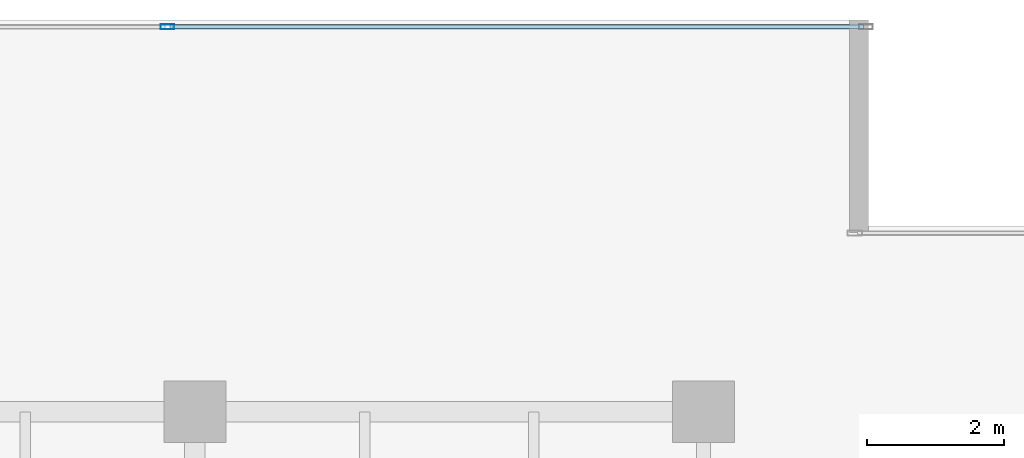
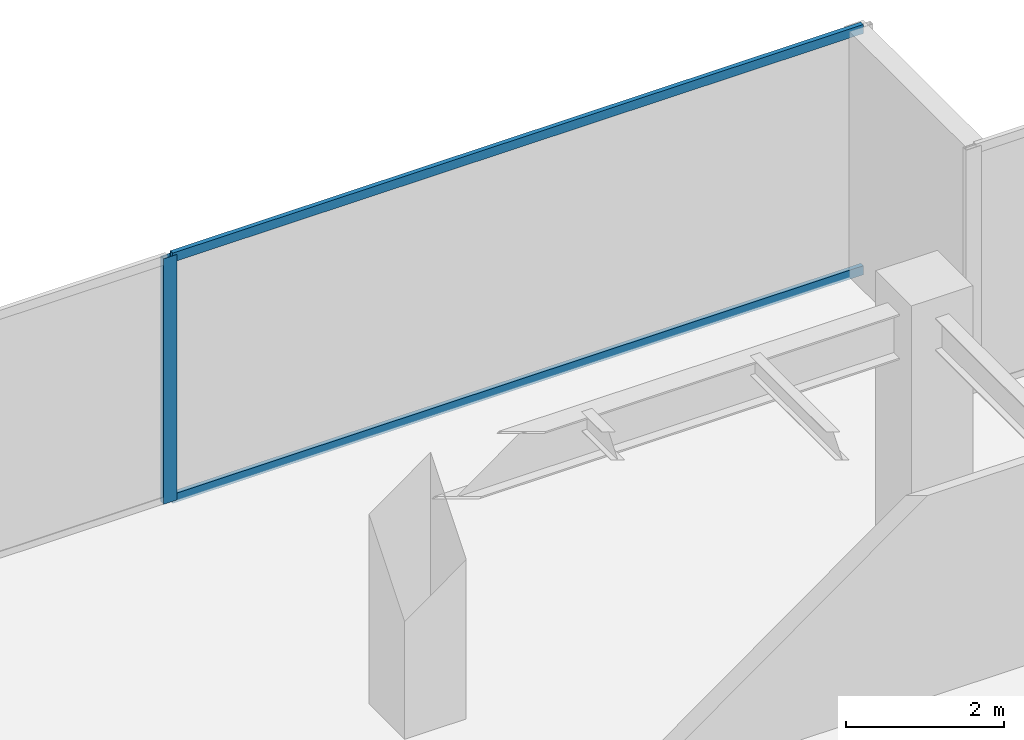
# One storey, part 20 of 30: 3 members, 1 element without a shape of its own.
"""IFC4 building model written with IfcOpenShell, lengths in metres."""

import ifcopenshell
import ifcopenshell.guid

model = None  # the IFC model being written
_history = None  # IfcOwnerHistory: only IFC2X3 demands one
_inside = {}  # id of a spatial element -> (the spatial element, [elements in it])
_under = {}  # id of a project, library or spatial element -> (it, [spatial elements below it])
_declared = {}  # id of a project -> (the project, [libraries it declares])
_typed = {}  # id of a type object -> (the type object, [elements of that type])
_made_of = {}  # id of a material, layer set ... -> (it, [elements and type objects made of it])


def new_model(schema):
    """Start an empty IFC model of exactly this schema.

    Asked for "IFC4X3", IfcOpenShell would pick the latest addendum, in which some entities
    have other attributes; the version numbers below select the first issue.
    IFC2X3 requires an IfcOwnerHistory on every rooted entity: one is made here for all.
    """
    global model, _history
    if schema == "IFC4X3":
        model = ifcopenshell.file(schema_version=(4, 3, 0, 0))
    else:
        model = ifcopenshell.file(schema=schema)
    _inside.clear()
    _under.clear()
    _declared.clear()
    _typed.clear()
    _made_of.clear()
    _history = None
    if model.schema == "IFC2X3":
        org = make("IfcOrganization", Name="unknown")
        user = make(
            "IfcPersonAndOrganization",
            ThePerson=make("IfcPerson", FamilyName="unknown"),
            TheOrganization=org,
        )
        app = make(
            "IfcApplication",
            ApplicationDeveloper=org,
            Version="unknown",
            ApplicationFullName="unknown",
            ApplicationIdentifier="unknown",
        )
        _history = make(
            "IfcOwnerHistory",
            OwningUser=user,
            OwningApplication=app,
            ChangeAction="ADDED",
            CreationDate=0,
        )
    return model


def make(cls, **values):
    """One entity of the class cls with the attributes given. An attribute that is None is left unset."""
    return model.create_entity(
        cls, **{name: value for name, value in values.items() if value is not None}
    )


def rooted(cls, **values):
    """An entity with a GlobalId (a new one), such as an element, a storey or a relation."""
    return make(cls, GlobalId=ifcopenshell.guid.new(), OwnerHistory=_history, **values)


def si_unit(unit_type, name, prefix=None):
    """IfcSIUnit, for example si_unit("LENGTHUNIT", "METRE", prefix="MILLI")."""
    return make("IfcSIUnit", UnitType=unit_type, Prefix=prefix, Name=name)


def assignment(units):
    """IfcUnitAssignment: the units of a project."""
    return None if units is None else make("IfcUnitAssignment", Units=units)


def point(xyz):
    """IfcCartesianPoint."""
    return None if xyz is None else make("IfcCartesianPoint", Coordinates=xyz)


def direction(xyz):
    """IfcDirection."""
    return None if xyz is None else make("IfcDirection", DirectionRatios=xyz)


def frame(location, z_axis=None, x_axis=None):
    """IfcAxis2Placement3D, a coordinate frame: its origin and axes. An axis left out is left unset."""
    return make(
        "IfcAxis2Placement3D",
        Location=point(location),
        Axis=direction(z_axis),
        RefDirection=direction(x_axis),
    )


def frame_2d(location, x_axis=None):
    """IfcAxis2Placement2D, a coordinate frame in the plane: its origin and x axis."""
    return make(
        "IfcAxis2Placement2D", Location=point(location), RefDirection=direction(x_axis)
    )


def origin():
    """The frame at (0, 0, 0) with its axes left unset."""
    return frame((0.0, 0.0, 0.0))


def origin_2d():
    """The frame at (0, 0) in the plane with its x axis left unset."""
    return frame_2d((0.0, 0.0))


def place(relative_to, where):
    """IfcLocalPlacement: puts the frame where relative to a parent placement (None: the world)."""
    return make(
        "IfcLocalPlacement", PlacementRelTo=relative_to, RelativePlacement=where
    )


def context(
    kind, dimensions, precision=None, world=None, true_north=None, identifier=None
):
    """IfcGeometricRepresentationContext, for example the 3D "Model" context."""
    return make(
        "IfcGeometricRepresentationContext",
        ContextIdentifier=identifier,
        ContextType=kind,
        CoordinateSpaceDimension=dimensions,
        Precision=precision,
        WorldCoordinateSystem=world,
        TrueNorth=true_north,
    )


def subcontext(parent, identifier, kind, view, scale=None):
    """IfcGeometricRepresentationSubContext, for example "Body" below "Model"."""
    return make(
        "IfcGeometricRepresentationSubContext",
        ContextIdentifier=identifier,
        ContextType=kind,
        ParentContext=parent,
        TargetScale=scale,
        TargetView=view,
    )


def project(units=None, contexts=None):
    """IfcProject with its units and contexts."""
    return rooted(
        "IfcProject",
        Name="project",
        RepresentationContexts=contexts,
        UnitsInContext=assignment(units),
    )


def spatial(cls, under=None, at=None, **own):
    """A site, building, storey or space (cls), placed at a placement, below another one or the project."""
    s = rooted(cls, ObjectPlacement=at, **own)
    if under is not None:
        _under.setdefault(under.id(), (under, []))[1].append(s)
    return s


def profile(cls, at=None, kind="AREA", **sizes):
    """A parametric profile (cls). Its sizes go by their IFC names, for example OverallWidth=200.0."""
    return make(cls, ProfileType=kind, Position=at, **sizes)


def hollow_rectangle(**sizes):
    """IfcRectangleHollowProfileDef."""
    return profile("IfcRectangleHollowProfileDef", **sizes)


def extrude(swept, where, along, depth):
    """IfcExtrudedAreaSolid: the profile swept, set in the frame where, extruded along a direction by depth."""
    return make(
        "IfcExtrudedAreaSolid",
        SweptArea=swept,
        Position=where,
        ExtrudedDirection=direction(along),
        Depth=depth,
    )


def shape(context_of_items, identifier, shape_type, items):
    """IfcShapeRepresentation: the items that make up one representation, for example the "Body"."""
    return make(
        "IfcShapeRepresentation",
        ContextOfItems=context_of_items,
        RepresentationIdentifier=identifier,
        RepresentationType=shape_type,
        Items=items,
    )


def source(mapping_origin, context_of_items, identifier, shape_type, items):
    """IfcRepresentationMap: a shape defined once, which mapped items show again and again."""
    return make(
        "IfcRepresentationMap",
        MappingOrigin=mapping_origin,
        MappedRepresentation=shape(context_of_items, identifier, shape_type, items),
    )


def transform(
    local_origin,
    x_axis=None,
    y_axis=None,
    z_axis=None,
    scale=None,
    scale2=None,
    scale3=None,
    uniform=True,
):
    """IfcCartesianTransformationOperator3D, or its non-uniform kind. x_axis, y_axis, z_axis: its Axis1, 2, 3."""
    if uniform:
        return make(
            "IfcCartesianTransformationOperator3D",
            Axis1=direction(x_axis),
            Axis2=direction(y_axis),
            LocalOrigin=point(local_origin),
            Scale=scale,
            Axis3=direction(z_axis),
        )
    return make(
        "IfcCartesianTransformationOperator3DnonUniform",
        Axis1=direction(x_axis),
        Axis2=direction(y_axis),
        LocalOrigin=point(local_origin),
        Scale=scale,
        Axis3=direction(z_axis),
        Scale2=scale2,
        Scale3=scale3,
    )


def mapped(mapping_source, mapping_target):
    """IfcMappedItem: shows the shape of a source again, moved by a transform."""
    return make(
        "IfcMappedItem", MappingSource=mapping_source, MappingTarget=mapping_target
    )


def material(Name=None, Category=None):
    """IfcMaterial."""
    return make("IfcMaterial", Name=Name, Category=Category)


def layer(
    of_material, thickness, ventilated=None, Name=None, Category=None, Priority=None
):
    """IfcMaterialLayer: one layer of a wall or slab, of a material (None: an air gap)."""
    return make(
        "IfcMaterialLayer",
        Material=of_material,
        LayerThickness=thickness,
        IsVentilated=ventilated,
        Name=Name,
        Category=Category,
        Priority=Priority,
    )


def layer_set(layers, Name=None):
    """IfcMaterialLayerSet."""
    return make("IfcMaterialLayerSet", MaterialLayers=layers, LayerSetName=Name)


def material_profile(
    of_material, cross_section, Name=None, Category=None, Priority=None
):
    """IfcMaterialProfile: a cross section and its material."""
    return make(
        "IfcMaterialProfile",
        Name=Name,
        Material=of_material,
        Profile=cross_section,
        Priority=Priority,
        Category=Category,
    )


def profile_set(profiles, Name=None, composite=None):
    """IfcMaterialProfileSet."""
    return make(
        "IfcMaterialProfileSet",
        Name=Name,
        MaterialProfiles=profiles,
        CompositeProfile=composite,
    )


def made_of(thing, what):
    """Note that an element or type object is made of a material, layer set ...; save() writes the relation."""
    if what is not None:
        _made_of.setdefault(what.id(), (what, []))[1].append(thing)
    return thing


def type_object(cls, material=None, **own):
    """A type object (cls), such as IfcWallType, which elements share."""
    return made_of(rooted(cls, **own), material)


def type_shapes(of_type, sources):
    """Give a type object the sources (RepresentationMaps) that its elements show as mapped items."""
    of_type.RepresentationMaps = sources


def element(
    cls,
    number,
    at=None,
    inside=None,
    cuts=None,
    type_object=None,
    material=None,
    context=None,
    identifier="Body",
    shape_type=None,
    held_by="IfcProductDefinitionShape",
    body=None,
    shapes=None,
    **own,
):
    """One element of the class cls, such as IfcWall. Its Tag is "e" and its number.

    at: its placement. inside: the storey or other place that contains it. cuts: it is an
    opening in that element (IfcRelVoidsElement). A single representation is given by context,
    identifier, shape_type and body (its items); several are given by shapes. held_by: the class
    of the entity that holds the representations. save() writes the other relations.
    """
    e = rooted(cls, Tag="e%d" % number, ObjectPlacement=at, **own)
    if body is not None:
        shapes = [shape(context, identifier, shape_type, body)]
    if shapes is not None:
        e.Representation = make(held_by, Representations=shapes)
    if inside is not None:
        _inside.setdefault(inside.id(), (inside, []))[1].append(e)
    if cuts is not None:
        rooted(
            "IfcRelVoidsElement", RelatingBuildingElement=cuts, RelatedOpeningElement=e
        )
    if type_object is not None:
        _typed.setdefault(type_object.id(), (type_object, []))[1].append(e)
    return made_of(e, material)


def aggregate(whole, parts):
    """IfcRelAggregates: a whole, such as a stair, and the parts it consists of."""
    return rooted("IfcRelAggregates", RelatingObject=whole, RelatedObjects=parts)


def save(model, path):
    """Write the relations noted so far, then the file.

    IfcRelAggregates (storeys below a building ...), IfcRelContainedInSpatialStructure (elements
    in a storey), IfcRelDefinesByType, IfcRelAssociatesMaterial and IfcRelDeclares: one each for
    every whole, place, type object, material and project.
    """
    for whole, parts in _under.values():
        aggregate(whole, parts)
    for where, things in _inside.values():
        rooted(
            "IfcRelContainedInSpatialStructure",
            RelatedElements=things,
            RelatingStructure=where,
        )
    for kind, things in _typed.values():
        rooted("IfcRelDefinesByType", RelatedObjects=things, RelatingType=kind)
    for what, things in _made_of.values():
        rooted("IfcRelAssociatesMaterial", RelatedObjects=things, RelatingMaterial=what)
    for by, libraries in _declared.values():
        rooted("IfcRelDeclares", RelatingContext=by, RelatedDefinitions=libraries)
    model.write(path)


model = new_model("IFC4")

# Units and contexts
model_context = context("Model", 3, precision=1e-05, world=origin(), true_north=direction((0.0, 1.0)))
body_context = subcontext(model_context, "Body", "Model", "MODEL_VIEW")
ifc_project = project(units=[si_unit("LENGTHUNIT", "METRE"), si_unit("AREAUNIT", "SQUARE_METRE"), si_unit("VOLUMEUNIT", "CUBIC_METRE"), si_unit("PLANEANGLEUNIT", "RADIAN"), si_unit("MASSUNIT", "GRAM", prefix="KILO")], contexts=[model_context])

# Site, building, storey
site_placement = place(None, origin())
site = spatial("IfcSite", under=ifc_project, at=site_placement, CompositionType="ELEMENT")
building_placement = place(site_placement, origin())
building = spatial("IfcBuilding", under=site, at=building_placement, Name="Haelvirn Gate Laboratories", CompositionType="ELEMENT")
storey_placement = place(building_placement, frame((0.0, 0.0, 125.60009765625)))
storey = spatial("IfcBuildingStorey", under=building, at=storey_placement, Name="L30", CompositionType="ELEMENT", Elevation=125.60009765625)

# Curtain wall, members
ifc_material_1 = material(Name="Anodised bronze unitised aluminium & triple low-E glass", Category="aluminium")
ifc_layer = layer(ifc_material_1, 0.179931640625, Name="CW-SYS-3")
ifc_layer_set = layer_set([ifc_layer], Name="Anodised bronze unitised aluminium & triple low-E glass")
curtain_wall_type = type_object("IfcCurtainWallType", Name="CW-SYS-3", PredefinedType="NOTDEFINED", material=ifc_layer_set)
curtain_wall_placement = place(storey_placement, origin())
curtain_wall = element("IfcCurtainWall", 1, at=curtain_wall_placement, inside=storey, type_object=curtain_wall_type, Name="L30 Unitised Curtain Wall CW-L30-P0-E10-1", PredefinedType="NOTDEFINED")
ifc_material_2 = material(Name="Extruded aluminium 6063-T6 (anodised bronze)", Category="aluminium")
ifc_material_profile_1 = material_profile(ifc_material_2, hollow_rectangle(XDim=0.06494140625, YDim=0.139892578125, WallThickness=0.00390625, at=origin_2d()), Name="CWT-140x65x4")
ifc_profile_set_1 = profile_set([ifc_material_profile_1], Name="Extruded aluminium 6063-T6 (anodised bronze)")
member_type_1 = type_object("IfcMemberType", Name="CWT-T140", PredefinedType="USERDEFINED", material=ifc_profile_set_1)
shared_shape_1 = source(origin(), body_context, "Body", "SweptSolid", [
    extrude(hollow_rectangle(XDim=0.06494140625, YDim=0.139892578125, WallThickness=0.00390625, at=origin_2d()), origin(), (0.0, 0.0, 1.0), 10.087646484375),
])
type_shapes(member_type_1, [shared_shape_1])
member_1_placement = place(storey_placement, frame((59.637451171875, 47.199951171875, 0.032470703125), z_axis=(1.0, 0.0, 0.0), x_axis=(0.0, 1.0, 0.0)))
member_1 = element("IfcMember", 2, at=member_1_placement, type_object=member_type_1, Name="CW3 transom 2.1", ObjectType="TRANSOM", PredefinedType="USERDEFINED", context=body_context, shape_type="MappedRepresentation", body=[
    mapped(shared_shape_1, transform((0.0, 0.0, 0.0), scale=1.0)),
])
member_2_placement = place(storey_placement, frame((59.637451171875, 47.199951171875, 3.75732421875), z_axis=(1.0, 0.0, 0.0), x_axis=(0.0, 1.0, 0.0)))
member_2 = element("IfcMember", 3, at=member_2_placement, type_object=member_type_1, Name="CW3 transom 2.2", ObjectType="TRANSOM", PredefinedType="USERDEFINED", context=body_context, shape_type="MappedRepresentation", body=[
    mapped(shared_shape_1, transform((0.0, 0.0, 0.0), scale=1.0)),
])
ifc_material_profile_2 = material_profile(ifc_material_2, hollow_rectangle(XDim=0.074951171875, YDim=0.199951171875, WallThickness=0.0048828125, at=origin_2d()), Name="CWM-200x75x5")
ifc_profile_set_2 = profile_set([ifc_material_profile_2], Name="Extruded aluminium 6063-T6 (anodised bronze)")
member_type_2 = type_object("IfcMemberType", Name="CWM-T200", PredefinedType="MULLION", material=ifc_profile_set_2)
shared_shape_2 = source(origin(), body_context, "Body", "SweptSolid", [
    extrude(hollow_rectangle(XDim=0.074951171875, YDim=0.199951171875, WallThickness=0.0048828125, at=origin_2d()), origin(), (0.0, 0.0, 1.0), 3.789794921875),
])
type_shapes(member_type_2, [shared_shape_2])
member_3_placement = place(storey_placement, frame((59.60009765625, 47.199951171875, 0.0), z_axis=(0.0, 0.0, 1.0), x_axis=(0.0, 1.0, 0.0)))
member_3 = element("IfcMember", 4, at=member_3_placement, type_object=member_type_2, Name="CW3 mullion 2", PredefinedType="MULLION", context=body_context, shape_type="MappedRepresentation", body=[
    mapped(shared_shape_2, transform((0.0, 0.0, 0.0), scale=1.0)),
])
aggregate(curtain_wall, [member_3, member_1, member_2])

save(model, "model.ifc")
